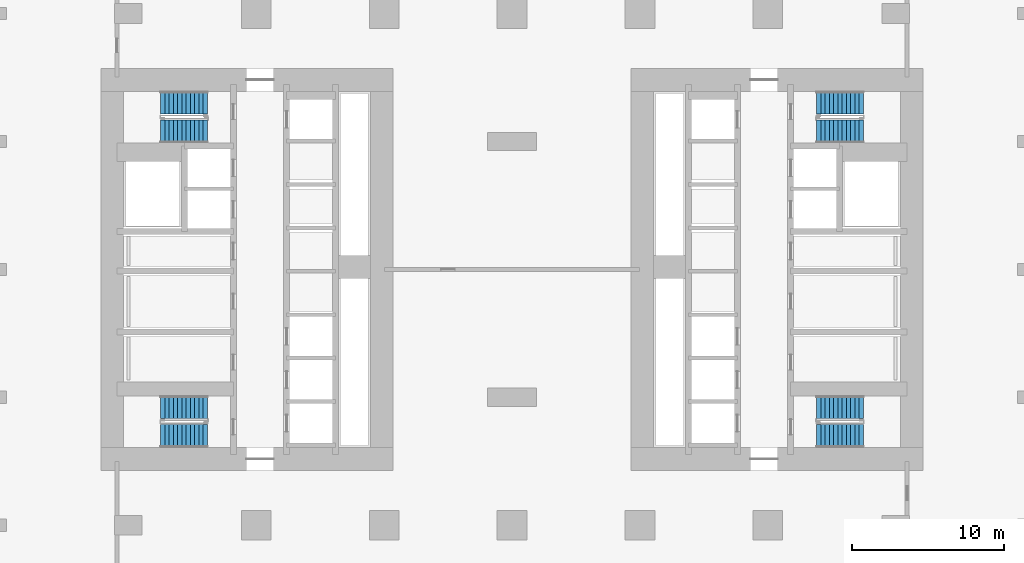
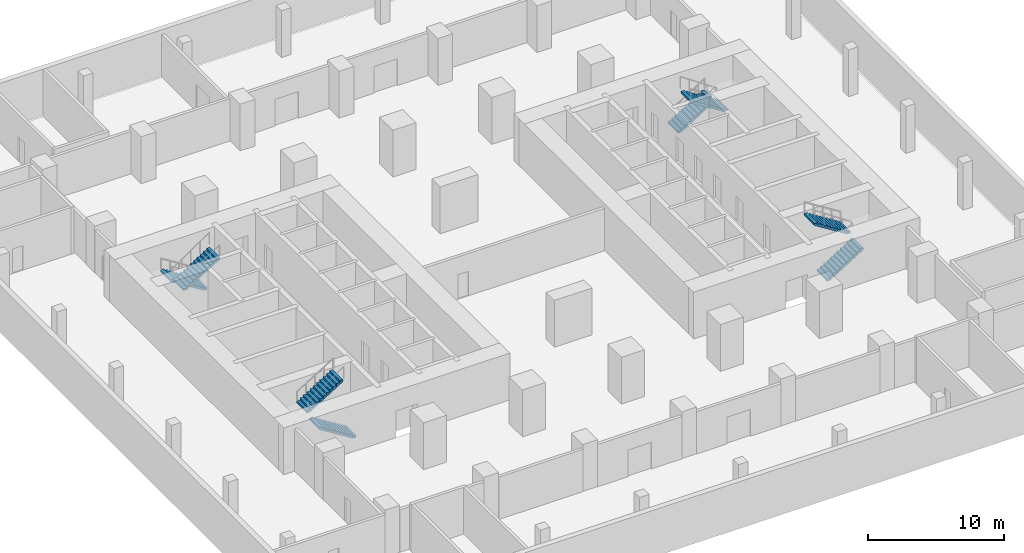
# One storey, part 7 of 8: 8 stair flights, 4 elements without a shape of their own.
"""IFC4 building model written with IfcOpenShell, lengths in metres."""

from ifc_helpers import new_model, si_unit, direction, frame, origin, place, context, subcontext, project, spatial, polyline, outline, extrude, material, type_object, element, aggregate, save


model = new_model("IFC4")

# Units and contexts
model_context = context("Model", 3, precision=1e-05, world=origin(), true_north=direction((0.0, 1.0)))
body_context = subcontext(model_context, "Body", "Model", "MODEL_VIEW")
ifc_project = project(units=[si_unit("LENGTHUNIT", "METRE"), si_unit("AREAUNIT", "SQUARE_METRE"), si_unit("VOLUMEUNIT", "CUBIC_METRE"), si_unit("PLANEANGLEUNIT", "RADIAN"), si_unit("MASSUNIT", "GRAM", prefix="KILO")], contexts=[model_context])

# Site, building, storey
site_placement = place(None, origin())
site = spatial("IfcSite", under=ifc_project, at=site_placement, CompositionType="ELEMENT")
building_placement = place(site_placement, origin())
building = spatial("IfcBuilding", under=site, at=building_placement, Name="Claustro Exchange Tower", CompositionType="ELEMENT")
storey_placement = place(building_placement, frame((0.0, 0.0, -4.199951171875)))
storey = spatial("IfcBuildingStorey", under=building, at=storey_placement, Name="B1", CompositionType="ELEMENT", Elevation=-4.199951171875)

# Stair, stair flights
ifc_material_1 = material(Name="Concrete HA-30 (C30/37), precast", Category="concrete")
stair_type = type_object("IfcStairType", Name="ST1 half-turn stair, 24 risers of 175", PredefinedType="HALF_TURN_STAIR", material=ifc_material_1)
stair_1_placement = place(storey_placement, origin())
stair_1 = element("IfcStair", 1, at=stair_1_placement, inside=storey, type_object=stair_type, Name="Stair STWA B1", PredefinedType="HALF_TURN_STAIR")
ifc_material_2 = material(Name="Concrete HA-30 (C30/37), precast", Category="concrete")
stair_flight_type = type_object("IfcStairFlightType", Name="SF12A straight flight, 12 risers of 175, 1500 wide", PredefinedType="STRAIGHT", material=ifc_material_2)
stair_flight_1_placement = place(storey_placement, frame((5.199951171875, 14.25, 0.0), z_axis=(0.0, 0.0, 1.0), x_axis=(-1.0, 0.0, 0.0)))
stair_flight_1 = element("IfcStairFlight", 2, at=stair_flight_1_placement, type_object=stair_flight_type, Name="STWA flight 1", NumberOfRisers=12, NumberOfTreads=11, PredefinedType="STRAIGHT", RiserHeight=0.175, TreadLength=0.28, context=body_context, shape_type="SweptSolid", body=[
    extrude(outline(polyline([(0.0, 0.0), (0.0, 0.175048828125), (0.280029296875, 0.175048828125), (0.280029296875, 0.35009765625), (0.56005859375, 0.35009765625), (0.56005859375, 0.52490234375), (0.840087890625, 0.52490234375), (0.840087890625, 0.699951171875), (1.1201171875, 0.699951171875), (1.1201171875, 0.875), (1.39990234375, 0.875), (1.39990234375, 1.050048828125), (1.679931640625, 1.050048828125), (1.679931640625, 1.22509765625), (1.9599609375, 1.22509765625), (1.9599609375, 1.39990234375), (2.239990234375, 1.39990234375), (2.239990234375, 1.574951171875), (2.52001953125, 1.574951171875), (2.52001953125, 1.75), (2.800048828125, 1.75), (2.800048828125, 1.925048828125), (3.080078125, 1.925048828125), (3.080078125, 2.10009765625), (3.080078125, 1.748291015625), (0.28271484375, 0.0), (0.0, 0.0)])), frame((0.0, 0.75, 0.0), z_axis=(0.0, -1.0, 0.0), x_axis=(1.0, 0.0, 0.0)), (0.0, 0.0, 1.0), 1.5),
])
stair_flight_2_placement = place(storey_placement, frame((2.1201171875, 16.14990234375, 2.099853515625), z_axis=(0.0, 0.0, 1.0), x_axis=(1.0, 0.0, 0.0)))
stair_flight_2 = element("IfcStairFlight", 3, at=stair_flight_2_placement, type_object=stair_flight_type, Name="STWA flight 2", NumberOfRisers=12, NumberOfTreads=11, PredefinedType="STRAIGHT", RiserHeight=0.175, TreadLength=0.28, context=body_context, shape_type="SweptSolid", body=[
    extrude(outline(polyline([(0.0, 0.0), (0.0, 0.175048828125), (0.280029296875, 0.175048828125), (0.280029296875, 0.35009765625), (0.56005859375, 0.35009765625), (0.56005859375, 0.52490234375), (0.840087890625, 0.52490234375), (0.840087890625, 0.699951171875), (1.1201171875, 0.699951171875), (1.1201171875, 0.875), (1.39990234375, 0.875), (1.39990234375, 1.050048828125), (1.679931640625, 1.050048828125), (1.679931640625, 1.22509765625), (1.9599609375, 1.22509765625), (1.9599609375, 1.39990234375), (2.239990234375, 1.39990234375), (2.239990234375, 1.574951171875), (2.52001953125, 1.574951171875), (2.52001953125, 1.75), (2.800048828125, 1.75), (2.800048828125, 1.925048828125), (3.080078125, 1.925048828125), (3.080078125, 2.10009765625), (3.080078125, 1.748291015625), (0.28271484375, 0.0), (0.0, 0.0)])), frame((0.0, 0.75, 0.0), z_axis=(0.0, -1.0, 0.0), x_axis=(1.0, 0.0, 0.0)), (0.0, 0.0, 1.0), 1.5),
])
aggregate(stair_1, [stair_flight_1, stair_flight_2])

stair_2_placement = place(storey_placement, origin())
stair_2 = element("IfcStair", 4, at=stair_2_placement, inside=storey, type_object=stair_type, Name="Stair STWB B1", PredefinedType="HALF_TURN_STAIR")
stair_flight_3_placement = place(storey_placement, frame((5.199951171875, 36.14990234375, 0.0), z_axis=(0.0, 0.0, 1.0), x_axis=(-1.0, 0.0, 0.0)))
stair_flight_3 = element("IfcStairFlight", 5, at=stair_flight_3_placement, type_object=stair_flight_type, Name="STWB flight 1", NumberOfRisers=12, NumberOfTreads=11, PredefinedType="STRAIGHT", RiserHeight=0.175, TreadLength=0.28, context=body_context, shape_type="SweptSolid", body=[
    extrude(outline(polyline([(0.0, 0.0), (0.0, 0.175048828125), (0.280029296875, 0.175048828125), (0.280029296875, 0.35009765625), (0.56005859375, 0.35009765625), (0.56005859375, 0.52490234375), (0.840087890625, 0.52490234375), (0.840087890625, 0.699951171875), (1.1201171875, 0.699951171875), (1.1201171875, 0.875), (1.39990234375, 0.875), (1.39990234375, 1.050048828125), (1.679931640625, 1.050048828125), (1.679931640625, 1.22509765625), (1.9599609375, 1.22509765625), (1.9599609375, 1.39990234375), (2.239990234375, 1.39990234375), (2.239990234375, 1.574951171875), (2.52001953125, 1.574951171875), (2.52001953125, 1.75), (2.800048828125, 1.75), (2.800048828125, 1.925048828125), (3.080078125, 1.925048828125), (3.080078125, 2.10009765625), (3.080078125, 1.748291015625), (0.28271484375, 0.0), (0.0, 0.0)])), frame((0.0, 0.75, 0.0), z_axis=(0.0, -1.0, 0.0), x_axis=(1.0, 0.0, 0.0)), (0.0, 0.0, 1.0), 1.5),
])
stair_flight_4_placement = place(storey_placement, frame((2.1201171875, 34.25, 2.099853515625), z_axis=(0.0, 0.0, 1.0), x_axis=(1.0, 0.0, 0.0)))
stair_flight_4 = element("IfcStairFlight", 6, at=stair_flight_4_placement, type_object=stair_flight_type, Name="STWB flight 2", NumberOfRisers=12, NumberOfTreads=11, PredefinedType="STRAIGHT", RiserHeight=0.175, TreadLength=0.28, context=body_context, shape_type="SweptSolid", body=[
    extrude(outline(polyline([(0.0, 0.0), (0.0, 0.175048828125), (0.280029296875, 0.175048828125), (0.280029296875, 0.35009765625), (0.56005859375, 0.35009765625), (0.56005859375, 0.52490234375), (0.840087890625, 0.52490234375), (0.840087890625, 0.699951171875), (1.1201171875, 0.699951171875), (1.1201171875, 0.875), (1.39990234375, 0.875), (1.39990234375, 1.050048828125), (1.679931640625, 1.050048828125), (1.679931640625, 1.22509765625), (1.9599609375, 1.22509765625), (1.9599609375, 1.39990234375), (2.239990234375, 1.39990234375), (2.239990234375, 1.574951171875), (2.52001953125, 1.574951171875), (2.52001953125, 1.75), (2.800048828125, 1.75), (2.800048828125, 1.925048828125), (3.080078125, 1.925048828125), (3.080078125, 2.10009765625), (3.080078125, 1.748291015625), (0.28271484375, 0.0), (0.0, 0.0)])), frame((0.0, 0.75, 0.0), z_axis=(0.0, -1.0, 0.0), x_axis=(1.0, 0.0, 0.0)), (0.0, 0.0, 1.0), 1.5),
])
aggregate(stair_2, [stair_flight_3, stair_flight_4])

stair_3_placement = place(storey_placement, origin())
stair_3 = element("IfcStair", 7, at=stair_3_placement, inside=storey, type_object=stair_type, Name="Stair STEA B1", PredefinedType="HALF_TURN_STAIR")
stair_flight_5_placement = place(storey_placement, frame((45.199951171875, 14.25, 0.0), z_axis=(0.0, 0.0, 1.0), x_axis=(1.0, 0.0, 0.0)))
stair_flight_5 = element("IfcStairFlight", 8, at=stair_flight_5_placement, type_object=stair_flight_type, Name="STEA flight 1", NumberOfRisers=12, NumberOfTreads=11, PredefinedType="STRAIGHT", RiserHeight=0.175, TreadLength=0.28, context=body_context, shape_type="SweptSolid", body=[
    extrude(outline(polyline([(0.0, 0.0), (0.0, 0.175048828125), (0.280029296875, 0.175048828125), (0.280029296875, 0.35009765625), (0.56005859375, 0.35009765625), (0.56005859375, 0.52490234375), (0.840087890625, 0.52490234375), (0.840087890625, 0.699951171875), (1.1201171875, 0.699951171875), (1.1201171875, 0.875), (1.39990234375, 0.875), (1.39990234375, 1.050048828125), (1.679931640625, 1.050048828125), (1.679931640625, 1.22509765625), (1.9599609375, 1.22509765625), (1.9599609375, 1.39990234375), (2.239990234375, 1.39990234375), (2.239990234375, 1.574951171875), (2.52001953125, 1.574951171875), (2.52001953125, 1.75), (2.800048828125, 1.75), (2.800048828125, 1.925048828125), (3.080078125, 1.925048828125), (3.080078125, 2.10009765625), (3.080078125, 1.748291015625), (0.28271484375, 0.0), (0.0, 0.0)])), frame((0.0, 0.75, 0.0), z_axis=(0.0, -1.0, 0.0), x_axis=(1.0, 0.0, 0.0)), (0.0, 0.0, 1.0), 1.5),
])
stair_flight_6_placement = place(storey_placement, frame((48.280029296875, 16.14990234375, 2.099853515625), z_axis=(0.0, 0.0, 1.0), x_axis=(-1.0, 0.0, 0.0)))
stair_flight_6 = element("IfcStairFlight", 9, at=stair_flight_6_placement, type_object=stair_flight_type, Name="STEA flight 2", NumberOfRisers=12, NumberOfTreads=11, PredefinedType="STRAIGHT", RiserHeight=0.175, TreadLength=0.28, context=body_context, shape_type="SweptSolid", body=[
    extrude(outline(polyline([(0.0, 0.0), (0.0, 0.175048828125), (0.280029296875, 0.175048828125), (0.280029296875, 0.35009765625), (0.56005859375, 0.35009765625), (0.56005859375, 0.52490234375), (0.840087890625, 0.52490234375), (0.840087890625, 0.699951171875), (1.1201171875, 0.699951171875), (1.1201171875, 0.875), (1.39990234375, 0.875), (1.39990234375, 1.050048828125), (1.679931640625, 1.050048828125), (1.679931640625, 1.22509765625), (1.9599609375, 1.22509765625), (1.9599609375, 1.39990234375), (2.239990234375, 1.39990234375), (2.239990234375, 1.574951171875), (2.52001953125, 1.574951171875), (2.52001953125, 1.75), (2.800048828125, 1.75), (2.800048828125, 1.925048828125), (3.080078125, 1.925048828125), (3.080078125, 2.10009765625), (3.080078125, 1.748291015625), (0.28271484375, 0.0), (0.0, 0.0)])), frame((0.0, 0.75, 0.0), z_axis=(0.0, -1.0, 0.0), x_axis=(1.0, 0.0, 0.0)), (0.0, 0.0, 1.0), 1.5),
])
aggregate(stair_3, [stair_flight_5, stair_flight_6])

stair_4_placement = place(storey_placement, origin())
stair_4 = element("IfcStair", 10, at=stair_4_placement, inside=storey, type_object=stair_type, Name="Stair STEB B1", PredefinedType="HALF_TURN_STAIR")
stair_flight_7_placement = place(storey_placement, frame((45.199951171875, 36.14990234375, 0.0), z_axis=(0.0, 0.0, 1.0), x_axis=(1.0, 0.0, 0.0)))
stair_flight_7 = element("IfcStairFlight", 11, at=stair_flight_7_placement, type_object=stair_flight_type, Name="STEB flight 1", NumberOfRisers=12, NumberOfTreads=11, PredefinedType="STRAIGHT", RiserHeight=0.175, TreadLength=0.28, context=body_context, shape_type="SweptSolid", body=[
    extrude(outline(polyline([(0.0, 0.0), (0.0, 0.175048828125), (0.280029296875, 0.175048828125), (0.280029296875, 0.35009765625), (0.56005859375, 0.35009765625), (0.56005859375, 0.52490234375), (0.840087890625, 0.52490234375), (0.840087890625, 0.699951171875), (1.1201171875, 0.699951171875), (1.1201171875, 0.875), (1.39990234375, 0.875), (1.39990234375, 1.050048828125), (1.679931640625, 1.050048828125), (1.679931640625, 1.22509765625), (1.9599609375, 1.22509765625), (1.9599609375, 1.39990234375), (2.239990234375, 1.39990234375), (2.239990234375, 1.574951171875), (2.52001953125, 1.574951171875), (2.52001953125, 1.75), (2.800048828125, 1.75), (2.800048828125, 1.925048828125), (3.080078125, 1.925048828125), (3.080078125, 2.10009765625), (3.080078125, 1.748291015625), (0.28271484375, 0.0), (0.0, 0.0)])), frame((0.0, 0.75, 0.0), z_axis=(0.0, -1.0, 0.0), x_axis=(1.0, 0.0, 0.0)), (0.0, 0.0, 1.0), 1.5),
])
stair_flight_8_placement = place(storey_placement, frame((48.280029296875, 34.25, 2.099853515625), z_axis=(0.0, 0.0, 1.0), x_axis=(-1.0, 0.0, 0.0)))
stair_flight_8 = element("IfcStairFlight", 12, at=stair_flight_8_placement, type_object=stair_flight_type, Name="STEB flight 2", NumberOfRisers=12, NumberOfTreads=11, PredefinedType="STRAIGHT", RiserHeight=0.175, TreadLength=0.28, context=body_context, shape_type="SweptSolid", body=[
    extrude(outline(polyline([(0.0, 0.0), (0.0, 0.175048828125), (0.280029296875, 0.175048828125), (0.280029296875, 0.35009765625), (0.56005859375, 0.35009765625), (0.56005859375, 0.52490234375), (0.840087890625, 0.52490234375), (0.840087890625, 0.699951171875), (1.1201171875, 0.699951171875), (1.1201171875, 0.875), (1.39990234375, 0.875), (1.39990234375, 1.050048828125), (1.679931640625, 1.050048828125), (1.679931640625, 1.22509765625), (1.9599609375, 1.22509765625), (1.9599609375, 1.39990234375), (2.239990234375, 1.39990234375), (2.239990234375, 1.574951171875), (2.52001953125, 1.574951171875), (2.52001953125, 1.75), (2.800048828125, 1.75), (2.800048828125, 1.925048828125), (3.080078125, 1.925048828125), (3.080078125, 2.10009765625), (3.080078125, 1.748291015625), (0.28271484375, 0.0), (0.0, 0.0)])), frame((0.0, 0.75, 0.0), z_axis=(0.0, -1.0, 0.0), x_axis=(1.0, 0.0, 0.0)), (0.0, 0.0, 1.0), 1.5),
])
aggregate(stair_4, [stair_flight_7, stair_flight_8])

save(model, "model.ifc")
